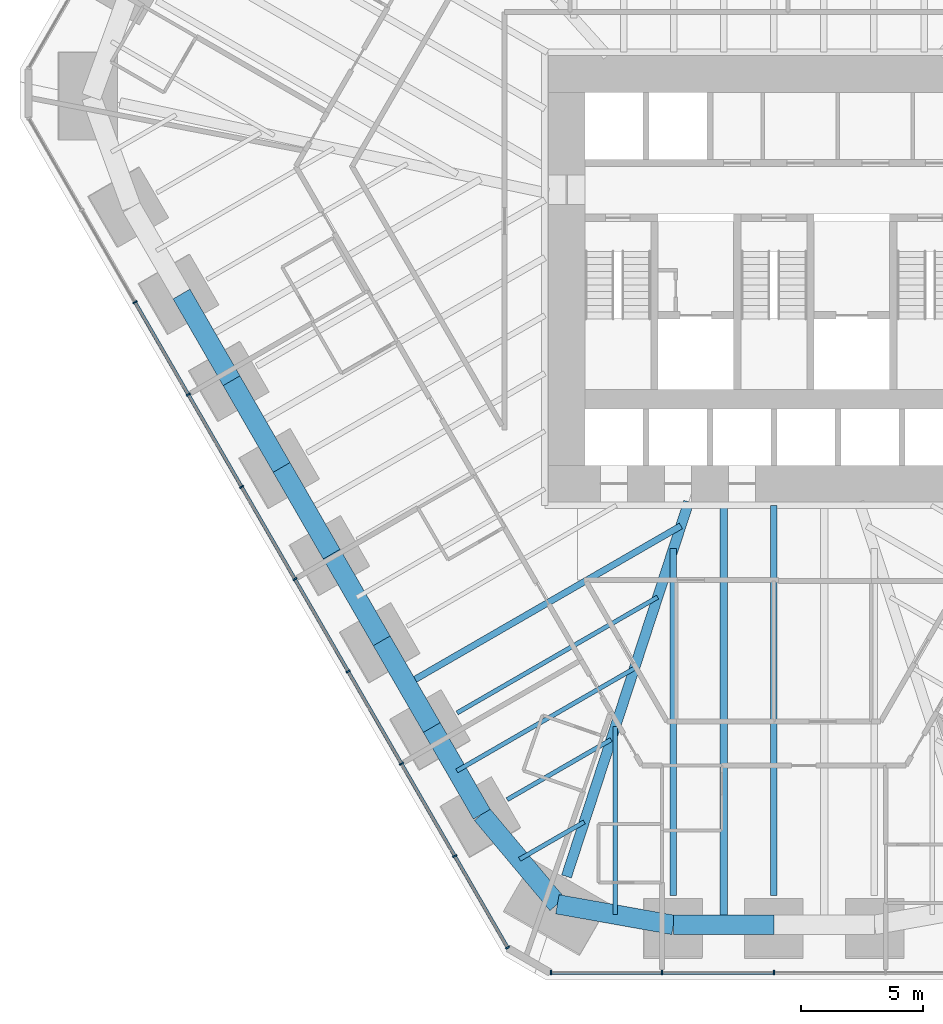
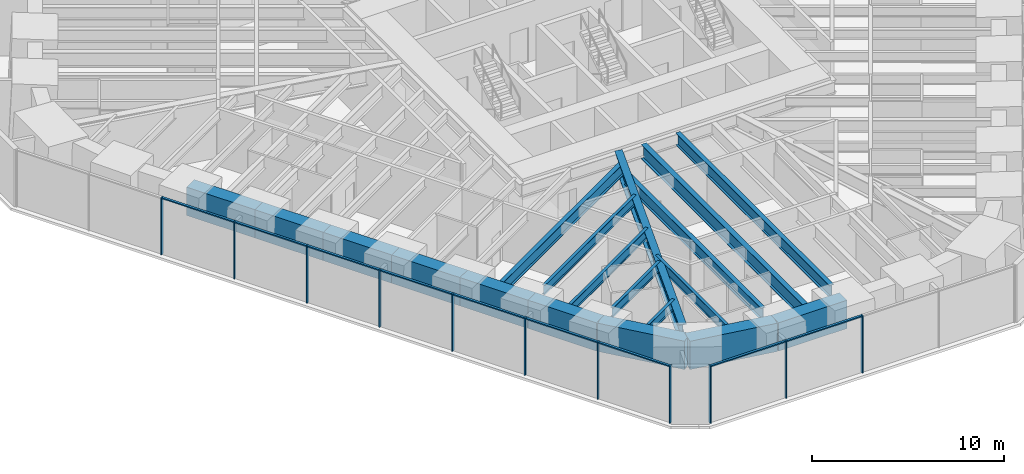
# One storey, part 2 of 17: 20 members, 19 beams, 2 elements without a shape of their own.
"""IFC4 building model written with IfcOpenShell, lengths in metres."""

from ifc_helpers import new_model, si_unit, direction, frame, origin, origin_2d, place, context, subcontext, project, spatial, rectangle, i_section, extrude, material, material_profile, profile_set, type_object, element, aggregate, save


model = new_model("IFC4")

# Units and contexts
model_context = context("Model", 3, precision=1e-05, world=origin(), true_north=direction((0.0, 1.0)))
body_context = subcontext(model_context, "Body", "Model", "MODEL_VIEW")
ifc_project = project(units=[si_unit("LENGTHUNIT", "METRE"), si_unit("AREAUNIT", "SQUARE_METRE"), si_unit("VOLUMEUNIT", "CUBIC_METRE"), si_unit("PLANEANGLEUNIT", "RADIAN"), si_unit("MASSUNIT", "GRAM", prefix="KILO")], contexts=[model_context])

# Site, building, storey
site_placement = place(None, origin())
site = spatial("IfcSite", under=ifc_project, at=site_placement, CompositionType="ELEMENT")
building_placement = place(site_placement, origin())
building = spatial("IfcBuilding", under=site, at=building_placement, Name="Sandreach Pilgrim Tower", CompositionType="ELEMENT")
storey_placement = place(building_placement, frame((0.0, 0.0, 68.60009765625)))
storey = spatial("IfcBuildingStorey", under=building, at=storey_placement, Name="L16", CompositionType="ELEMENT", Elevation=68.60009765625)

# Curtain wall, members
ifc_material_1 = material(Name="Aluminium framed curtain wall", Category="aluminium")
curtain_wall_type = type_object("IfcCurtainWallType", Name="Hostel tower curtain wall", PredefinedType="NOTDEFINED", material=ifc_material_1)
curtain_wall_1_placement = place(storey_placement, origin())
curtain_wall_1 = element("IfcCurtainWall", 1, at=curtain_wall_1_placement, inside=storey, type_object=curtain_wall_type, Name="CW-1 L16 S", PredefinedType="NOTDEFINED")
ifc_material_2 = material(Name="Aluminium extrusion", Category="aluminium")
ifc_material_profile_1 = material_profile(ifc_material_2, rectangle(XDim=0.06494140625, YDim=0.179931640625, at=origin_2d()), Name="CW-1M 65X180")
ifc_profile_set_1 = profile_set([ifc_material_profile_1], Name="Aluminium extrusion")
member_type_1 = type_object("IfcMemberType", Name="CW-1 mullion", PredefinedType="MULLION", material=ifc_profile_set_1)
member_1_placement = place(storey_placement, frame((0.0, -30.010986328125, 0.0), z_axis=(0.0, 0.0, 1.0), x_axis=(-1.0, 0.0, 0.0)))
member_1 = element("IfcMember", 2, at=member_1_placement, type_object=member_type_1, Name="CW-1 mullion 3", PredefinedType="MULLION", context=body_context, shape_type="SweptSolid", body=[
    extrude(rectangle(XDim=0.06494140625, YDim=0.179931640625, at=origin_2d()), origin(), (0.0, 0.0, 1.0), 3.639892578125),
])
member_2_placement = place(storey_placement, frame((-4.5859375, -30.010986328125, 0.0), z_axis=(0.0, 0.0, 1.0), x_axis=(-1.0, 0.0, 0.0)))
member_2 = element("IfcMember", 3, at=member_2_placement, type_object=member_type_1, Name="CW-1 mullion 4", PredefinedType="MULLION", context=body_context, shape_type="SweptSolid", body=[
    extrude(rectangle(XDim=0.06494140625, YDim=0.179931640625, at=origin_2d()), origin(), (0.0, 0.0, 1.0), 3.639892578125),
])
member_3_placement = place(storey_placement, frame((-9.1396484375, -30.010986328125, 0.0), z_axis=(0.0, 0.0, 1.0), x_axis=(-1.0, 0.0, 0.0)))
member_3 = element("IfcMember", 4, at=member_3_placement, type_object=member_type_1, Name="CW-1 mullion 5", PredefinedType="MULLION", context=body_context, shape_type="SweptSolid", body=[
    extrude(rectangle(XDim=0.06494140625, YDim=0.179931640625, at=origin_2d()), origin(), (0.0, 0.0, 1.0), 3.639892578125),
])

curtain_wall_2_placement = place(storey_placement, origin())
curtain_wall_2 = element("IfcCurtainWall", 5, at=curtain_wall_2_placement, inside=storey, type_object=curtain_wall_type, Name="CW-1 L16 SW", PredefinedType="NOTDEFINED")
member_4_placement = place(storey_placement, frame((-10.92041015625, -28.982666015625, 0.0), z_axis=(0.0, 0.0, 1.0), x_axis=(-0.5, 0.866025403784, 0.0)))
member_4 = element("IfcMember", 6, at=member_4_placement, type_object=member_type_1, Name="CW-1 mullion 1", PredefinedType="MULLION", context=body_context, shape_type="SweptSolid", body=[
    extrude(rectangle(XDim=0.06494140625, YDim=0.179931640625, at=origin_2d()), origin(), (0.0, 0.0, 1.0), 3.639892578125),
])
member_5_placement = place(storey_placement, frame((-13.08984375, -25.22509765625, 0.0), z_axis=(0.0, 0.0, 1.0), x_axis=(-0.5, 0.866025403784, 0.0)))
member_5 = element("IfcMember", 7, at=member_5_placement, type_object=member_type_1, Name="CW-1 mullion 2", PredefinedType="MULLION", context=body_context, shape_type="SweptSolid", body=[
    extrude(rectangle(XDim=0.06494140625, YDim=0.179931640625, at=origin_2d()), origin(), (0.0, 0.0, 1.0), 3.639892578125),
])
member_6_placement = place(storey_placement, frame((-15.275634765625, -21.439208984375, 0.0), z_axis=(0.0, 0.0, 1.0), x_axis=(-0.5, 0.866025403784, 0.0)))
member_6 = element("IfcMember", 8, at=member_6_placement, type_object=member_type_1, Name="CW-1 mullion 3", PredefinedType="MULLION", context=body_context, shape_type="SweptSolid", body=[
    extrude(rectangle(XDim=0.06494140625, YDim=0.179931640625, at=origin_2d()), origin(), (0.0, 0.0, 1.0), 3.639892578125),
])
member_7_placement = place(storey_placement, frame((-17.46142578125, -17.6533203125, 0.0), z_axis=(0.0, 0.0, 1.0), x_axis=(-0.5, 0.866025403784, 0.0)))
member_7 = element("IfcMember", 9, at=member_7_placement, type_object=member_type_1, Name="CW-1 mullion 4", PredefinedType="MULLION", context=body_context, shape_type="SweptSolid", body=[
    extrude(rectangle(XDim=0.06494140625, YDim=0.179931640625, at=origin_2d()), origin(), (0.0, 0.0, 1.0), 3.639892578125),
])
member_8_placement = place(storey_placement, frame((-19.647216796875, -13.8671875, 0.0), z_axis=(0.0, 0.0, 1.0), x_axis=(-0.5, 0.866025403784, 0.0)))
member_8 = element("IfcMember", 10, at=member_8_placement, type_object=member_type_1, Name="CW-1 mullion 5", PredefinedType="MULLION", context=body_context, shape_type="SweptSolid", body=[
    extrude(rectangle(XDim=0.06494140625, YDim=0.179931640625, at=origin_2d()), origin(), (0.0, 0.0, 1.0), 3.639892578125),
])
member_9_placement = place(storey_placement, frame((-21.8330078125, -10.081298828125, 0.0), z_axis=(0.0, 0.0, 1.0), x_axis=(-0.5, 0.866025403784, 0.0)))
member_9 = element("IfcMember", 11, at=member_9_placement, type_object=member_type_1, Name="CW-1 mullion 6", PredefinedType="MULLION", context=body_context, shape_type="SweptSolid", body=[
    extrude(rectangle(XDim=0.06494140625, YDim=0.179931640625, at=origin_2d()), origin(), (0.0, 0.0, 1.0), 3.639892578125),
])
member_10_placement = place(storey_placement, frame((-24.018798828125, -6.29541015625, 0.0), z_axis=(0.0, 0.0, 1.0), x_axis=(-0.5, 0.866025403784, 0.0)))
member_10 = element("IfcMember", 12, at=member_10_placement, type_object=member_type_1, Name="CW-1 mullion 7", PredefinedType="MULLION", context=body_context, shape_type="SweptSolid", body=[
    extrude(rectangle(XDim=0.06494140625, YDim=0.179931640625, at=origin_2d()), origin(), (0.0, 0.0, 1.0), 3.639892578125),
])
member_11_placement = place(storey_placement, frame((-26.20458984375, -2.509521484375, 0.0), z_axis=(0.0, 0.0, 1.0), x_axis=(-0.5, 0.866025403784, 0.0)))
member_11 = element("IfcMember", 13, at=member_11_placement, type_object=member_type_1, Name="CW-1 mullion 8", PredefinedType="MULLION", context=body_context, shape_type="SweptSolid", body=[
    extrude(rectangle(XDim=0.06494140625, YDim=0.179931640625, at=origin_2d()), origin(), (0.0, 0.0, 1.0), 3.639892578125),
])

# Member
ifc_material_3 = material(Name="Aluminium extrusion", Category="aluminium")
ifc_material_profile_2 = material_profile(ifc_material_3, rectangle(XDim=0.139892578125, YDim=0.070068359375, at=origin_2d()), Name="CW-1T 140X70")
ifc_profile_set_2 = profile_set([ifc_material_profile_2], Name="Aluminium extrusion")
member_type_2 = type_object("IfcMemberType", Name="CW-1 transom", PredefinedType="USERDEFINED", material=ifc_profile_set_2)
member_12_placement = place(storey_placement, frame((-0.032470703125, -30.010986328125, 3.60498046875), z_axis=(-1.0, 0.0, 0.0), x_axis=(0.0, -1.0, 0.0)))
member_12 = element("IfcMember", 14, at=member_12_placement, type_object=member_type_2, Name="CW-1 head transom 3", ObjectType="TRANSOM", PredefinedType="USERDEFINED", context=body_context, shape_type="SweptSolid", body=[
    extrude(rectangle(XDim=0.139892578125, YDim=0.070068359375, at=origin_2d()), origin(), (0.0, 0.0, 1.0), 4.52099609375),
])

member_13_placement = place(storey_placement, frame((-4.61865234375, -30.010986328125, 3.60498046875), z_axis=(-1.0, 0.0, 0.0), x_axis=(0.0, -1.0, 0.0)))
member_13 = element("IfcMember", 15, at=member_13_placement, type_object=member_type_2, Name="CW-1 head transom 4", ObjectType="TRANSOM", PredefinedType="USERDEFINED", context=body_context, shape_type="SweptSolid", body=[
    extrude(rectangle(XDim=0.139892578125, YDim=0.070068359375, at=origin_2d()), origin(), (0.0, 0.0, 1.0), 4.488525390625),
])

aggregate(curtain_wall_1, [member_1, member_2, member_3, member_12, member_13])

member_14_placement = place(storey_placement, frame((-10.9365234375, -28.95458984375, 3.60498046875), z_axis=(-0.500033953635, 0.866005799756, 0.0), x_axis=(-0.866005799756, -0.500033953635, 0.0)))
member_14 = element("IfcMember", 16, at=member_14_placement, type_object=member_type_2, Name="CW-1 head transom 1", ObjectType="TRANSOM", PredefinedType="USERDEFINED", context=body_context, shape_type="SweptSolid", body=[
    extrude(rectangle(XDim=0.139892578125, YDim=0.070068359375, at=origin_2d()), origin(), (0.0, 0.0, 1.0), 4.274169921875),
])

member_15_placement = place(storey_placement, frame((-13.106201171875, -25.19677734375, 3.60498046875), z_axis=(-0.500016891966, 0.866015650984, 0.0), x_axis=(-0.866015650984, -0.500016891966, 0.0)))
member_15 = element("IfcMember", 17, at=member_15_placement, type_object=member_type_2, Name="CW-1 head transom 2", ObjectType="TRANSOM", PredefinedType="USERDEFINED", context=body_context, shape_type="SweptSolid", body=[
    extrude(rectangle(XDim=0.139892578125, YDim=0.070068359375, at=origin_2d()), origin(), (0.0, 0.0, 1.0), 4.306396484375),
])

member_16_placement = place(storey_placement, frame((-15.2919921875, -21.410888671875, 3.60498046875), z_axis=(-0.500016891966, 0.866015650984, 0.0), x_axis=(-0.866015650984, -0.500016891966, 0.0)))
member_16 = element("IfcMember", 18, at=member_16_placement, type_object=member_type_2, Name="CW-1 head transom 3", ObjectType="TRANSOM", PredefinedType="USERDEFINED", context=body_context, shape_type="SweptSolid", body=[
    extrude(rectangle(XDim=0.139892578125, YDim=0.070068359375, at=origin_2d()), origin(), (0.0, 0.0, 1.0), 4.306396484375),
])

member_17_placement = place(storey_placement, frame((-17.477783203125, -17.625, 3.60498046875), z_axis=(-0.500016891966, 0.866015650984, 0.0), x_axis=(-0.866015650984, -0.500016891966, 0.0)))
member_17 = element("IfcMember", 19, at=member_17_placement, type_object=member_type_2, Name="CW-1 head transom 4", ObjectType="TRANSOM", PredefinedType="USERDEFINED", context=body_context, shape_type="SweptSolid", body=[
    extrude(rectangle(XDim=0.139892578125, YDim=0.070068359375, at=origin_2d()), origin(), (0.0, 0.0, 1.0), 4.306396484375),
])

member_18_placement = place(storey_placement, frame((-19.66357421875, -13.839111328125, 3.60498046875), z_axis=(-0.500016891966, 0.866015650984, 0.0), x_axis=(-0.866015650984, -0.500016891966, 0.0)))
member_18 = element("IfcMember", 20, at=member_18_placement, type_object=member_type_2, Name="CW-1 head transom 5", ObjectType="TRANSOM", PredefinedType="USERDEFINED", context=body_context, shape_type="SweptSolid", body=[
    extrude(rectangle(XDim=0.139892578125, YDim=0.070068359375, at=origin_2d()), origin(), (0.0, 0.0, 1.0), 4.306396484375),
])

member_19_placement = place(storey_placement, frame((-21.849365234375, -10.05322265625, 3.60498046875), z_axis=(-0.500016891966, 0.866015650984, 0.0), x_axis=(-0.866015650984, -0.500016891966, 0.0)))
member_19 = element("IfcMember", 21, at=member_19_placement, type_object=member_type_2, Name="CW-1 head transom 6", ObjectType="TRANSOM", PredefinedType="USERDEFINED", context=body_context, shape_type="SweptSolid", body=[
    extrude(rectangle(XDim=0.139892578125, YDim=0.070068359375, at=origin_2d()), origin(), (0.0, 0.0, 1.0), 4.306396484375),
])

member_20_placement = place(storey_placement, frame((-24.03515625, -6.267333984375, 3.60498046875), z_axis=(-0.500016891966, 0.866015650984, 0.0), x_axis=(-0.866015650984, -0.500016891966, 0.0)))
member_20 = element("IfcMember", 22, at=member_20_placement, type_object=member_type_2, Name="CW-1 head transom 7", ObjectType="TRANSOM", PredefinedType="USERDEFINED", context=body_context, shape_type="SweptSolid", body=[
    extrude(rectangle(XDim=0.139892578125, YDim=0.070068359375, at=origin_2d()), origin(), (0.0, 0.0, 1.0), 4.306396484375),
])

aggregate(curtain_wall_2, [member_4, member_5, member_6, member_7, member_8, member_9, member_10, member_11, member_14, member_15, member_16, member_17, member_18, member_19, member_20])

# Beams
ifc_material_4 = material(Name="Steel ASTM A992 Grade 50", Category="steel")
ifc_material_profile_3 = material_profile(ifc_material_4, i_section(OverallWidth=0.421630859375, OverallDepth=0.95751953125, WebThickness=0.02587890625, FlangeThickness=0.046875, at=origin_2d()), Name="W36X330")
ifc_profile_set_3 = profile_set([ifc_material_profile_3], Name="Steel ASTM A992 Grade 50")
beam_type_1 = type_object("IfcBeamType", Name="Corner girder W36X330", PredefinedType="BEAM", material=ifc_profile_set_3)
beam_1_placement = place(storey_placement, frame((-8.508056640625, -26.064208984375, 3.1611328125), z_axis=(0.310316814347, 0.950633196734, 0.0), x_axis=(-0.950633196734, 0.310316814347, 0.0)))
element("IfcBeam", 23, at=beam_1_placement, inside=storey, type_object=beam_type_1, Name="BM L16 CG26", PredefinedType="BEAM", context=body_context, shape_type="SweptSolid", body=[
    extrude(i_section(OverallWidth=0.421630859375, OverallDepth=0.95751953125, WebThickness=0.02587890625, FlangeThickness=0.046875, at=origin_2d()), origin(), (0.0, 0.0, 1.0), 16.162109375),
])
ifc_material_5 = material(Name="Steel ASTM A992 Grade 50", Category="steel")
ifc_material_profile_4 = material_profile(ifc_material_5, i_section(OverallWidth=0.1787109375, OverallDepth=0.60205078125, WebThickness=0.010986328125, FlangeThickness=0.014892578125, at=origin_2d()), Name="W24X62")
ifc_profile_set_4 = profile_set([ifc_material_profile_4], Name="Steel ASTM A992 Grade 50")
beam_type_2 = type_object("IfcBeamType", Name="Floor beam W24X62", PredefinedType="BEAM", material=ifc_profile_set_4)
beam_2_placement = place(storey_placement, frame((-10.940185546875, -22.91162109375, 3.3388671875), z_axis=(0.86601964755, 0.500009969958, 0.0), x_axis=(-0.500009969958, 0.86601964755, 0.0)))
element("IfcBeam", 24, at=beam_2_placement, inside=storey, type_object=beam_type_2, Name="BM L16 F27", PredefinedType="BEAM", context=body_context, shape_type="SweptSolid", body=[
    extrude(i_section(OverallWidth=0.1787109375, OverallDepth=0.60205078125, WebThickness=0.010986328125, FlangeThickness=0.014892578125, at=origin_2d()), origin(), (0.0, 0.0, 1.0), 4.9248046875),
])
beam_3_placement = place(storey_placement, frame((-12.9931640625, -19.35546875, 3.3388671875), z_axis=(0.866024630955, 0.500001338578, 0.0), x_axis=(-0.500001338578, 0.866024630955, 0.0)))
element("IfcBeam", 25, at=beam_3_placement, inside=storey, type_object=beam_type_2, Name="BM L16 F28", PredefinedType="BEAM", context=body_context, shape_type="SweptSolid", body=[
    extrude(i_section(OverallWidth=0.1787109375, OverallDepth=0.60205078125, WebThickness=0.010986328125, FlangeThickness=0.014892578125, at=origin_2d()), origin(), (0.0, 0.0, 1.0), 9.49755859375),
])
beam_4_placement = place(storey_placement, frame((-6.500244140625, -27.62890625, 3.3388671875), z_axis=(0.0, 1.0, 0.0), x_axis=(-1.0, 0.0, 0.0)))
element("IfcBeam", 26, at=beam_4_placement, inside=storey, type_object=beam_type_2, Name="BM L16 FM25", PredefinedType="BEAM", context=body_context, shape_type="SweptSolid", body=[
    extrude(i_section(OverallWidth=0.1787109375, OverallDepth=0.60205078125, WebThickness=0.010986328125, FlangeThickness=0.014892578125, at=origin_2d()), origin(), (0.0, 0.0, 1.0), 7.7158203125),
])
beam_5_placement = place(storey_placement, frame((-10.429931640625, -25.3583984375, 3.3388671875), z_axis=(0.866016979766, 0.500014590545, 0.0), x_axis=(-0.500014590545, 0.866016979766, 0.0)))
element("IfcBeam", 27, at=beam_5_placement, inside=storey, type_object=beam_type_2, Name="BM L16 FM26", PredefinedType="BEAM", context=body_context, shape_type="SweptSolid", body=[
    extrude(i_section(OverallWidth=0.1787109375, OverallDepth=0.60205078125, WebThickness=0.010986328125, FlangeThickness=0.014892578125, at=origin_2d()), origin(), (0.0, 0.0, 1.0), 3.0625),
])
beam_6_placement = place(storey_placement, frame((-13.005859375, -21.733642578125, 3.3388671875), z_axis=(0.866023174489, 0.500003861233, 0.0), x_axis=(-0.500003861233, 0.866023174489, 0.0)))
element("IfcBeam", 28, at=beam_6_placement, inside=storey, type_object=beam_type_2, Name="BM L16 FM27", PredefinedType="BEAM", context=body_context, shape_type="SweptSolid", body=[
    extrude(i_section(OverallWidth=0.1787109375, OverallDepth=0.60205078125, WebThickness=0.010986328125, FlangeThickness=0.014892578125, at=origin_2d()), origin(), (0.0, 0.0, 1.0), 8.4111328125),
])
ifc_material_6 = material(Name="Steel ASTM A992 Grade 50", Category="steel")
ifc_material_profile_5 = material_profile(ifc_material_6, i_section(OverallWidth=0.2666015625, OverallDepth=0.761962890625, WebThickness=0.014404296875, FlangeThickness=0.021484375, at=origin_2d()), Name="W30X116")
ifc_profile_set_5 = profile_set([ifc_material_profile_5], Name="Steel ASTM A992 Grade 50")
beam_type_3 = type_object("IfcBeamType", Name="Floor beam W30X116", PredefinedType="BEAM", material=ifc_profile_set_5)
beam_7_placement = place(storey_placement, frame((-4.119873046875, -26.852783203125, 3.2587890625), z_axis=(0.0, 1.0, 0.0), x_axis=(-1.0, 0.0, 0.0)))
element("IfcBeam", 29, at=beam_7_placement, inside=storey, type_object=beam_type_3, Name="BM L16 F25", PredefinedType="BEAM", context=body_context, shape_type="SweptSolid", body=[
    extrude(i_section(OverallWidth=0.2666015625, OverallDepth=0.761962890625, WebThickness=0.014404296875, FlangeThickness=0.021484375, at=origin_2d()), origin(), (0.0, 0.0, 1.0), 14.23193359375),
])
beam_8_placement = place(storey_placement, frame((-15.05908203125, -18.177490234375, 3.2587890625), z_axis=(0.866022136417, 0.500005659204, 0.0), x_axis=(-0.500005659204, 0.866022136417, 0.0)))
element("IfcBeam", 30, at=beam_8_placement, inside=storey, type_object=beam_type_3, Name="BM L16 FM28", PredefinedType="BEAM", context=body_context, shape_type="SweptSolid", body=[
    extrude(i_section(OverallWidth=0.2666015625, OverallDepth=0.761962890625, WebThickness=0.014404296875, FlangeThickness=0.021484375, at=origin_2d()), origin(), (0.0, 0.0, 1.0), 12.984130859375),
])
ifc_material_7 = material(Name="Steel ASTM A992 Grade 50", Category="steel")
ifc_material_profile_6 = material_profile(ifc_material_7, i_section(OverallWidth=0.2666015625, OverallDepth=0.77978515625, WebThickness=0.0166015625, FlangeThickness=0.030029296875, at=origin_2d()), Name="W30X148")
ifc_profile_set_6 = profile_set([ifc_material_profile_6], Name="Steel ASTM A992 Grade 50")
beam_type_4 = type_object("IfcBeamType", Name="Floor beam W30X148", PredefinedType="BEAM", material=ifc_profile_set_6)
beam_9_placement = place(storey_placement, frame((0.0, -26.852783203125, 3.25), z_axis=(0.0, 1.0, 0.0), x_axis=(-1.0, 0.0, 0.0)))
element("IfcBeam", 31, at=beam_9_placement, inside=storey, type_object=beam_type_4, Name="BM L16 F24", PredefinedType="BEAM", context=body_context, shape_type="SweptSolid", body=[
    extrude(i_section(OverallWidth=0.2666015625, OverallDepth=0.77978515625, WebThickness=0.0166015625, FlangeThickness=0.030029296875, at=origin_2d()), origin(), (0.0, 0.0, 1.0), 16.009521484375),
])
ifc_material_8 = material(Name="Steel ASTM A992 Grade 50", Category="steel")
ifc_material_profile_7 = material_profile(ifc_material_8, i_section(OverallWidth=0.3046875, OverallDepth=0.914306640625, WebThickness=0.0166015625, FlangeThickness=0.02587890625, at=origin_2d()), Name="W36X160")
ifc_profile_set_7 = profile_set([ifc_material_profile_7], Name="Steel ASTM A992 Grade 50")
beam_type_5 = type_object("IfcBeamType", Name="Floor beam W36X160", PredefinedType="BEAM", material=ifc_profile_set_7)
beam_10_placement = place(storey_placement, frame((-2.059814453125, -28.052734375, 3.1826171875), z_axis=(0.0, 1.0, 0.0), x_axis=(-1.0, 0.0, 0.0)))
element("IfcBeam", 32, at=beam_10_placement, inside=storey, type_object=beam_type_5, Name="BM L16 FM24", PredefinedType="BEAM", context=body_context, shape_type="SweptSolid", body=[
    extrude(i_section(OverallWidth=0.3046875, OverallDepth=0.914306640625, WebThickness=0.0166015625, FlangeThickness=0.02587890625, at=origin_2d()), origin(), (0.0, 0.0, 1.0), 17.20947265625),
])
ifc_material_9 = material(Name="Concrete 10000 psi", Category="concrete")
ifc_material_profile_8 = material_profile(ifc_material_9, rectangle(XDim=0.800048828125, YDim=1.800048828125, at=origin_2d()), Name="RC800X1800")
ifc_profile_set_8 = profile_set([ifc_material_profile_8], Name="Concrete 10000 psi")
beam_type_6 = type_object("IfcBeamType", Name="Spandrel beam RC800X1800", PredefinedType="SPANDREL", material=ifc_profile_set_8)
beam_11_placement = place(storey_placement, frame((0.0, -28.052734375, 2.739990234375), z_axis=(-1.0, 0.0, 0.0), x_axis=(0.0, -1.0, 0.0)))
element("IfcBeam", 33, at=beam_11_placement, inside=storey, type_object=beam_type_6, Name="BM L16 SP24", PredefinedType="SPANDREL", context=body_context, shape_type="SweptSolid", body=[
    extrude(rectangle(XDim=0.800048828125, YDim=1.800048828125, at=origin_2d()), origin(), (0.0, 0.0, 1.0), 4.119873046875),
])
beam_12_placement = place(storey_placement, frame((-4.119873046875, -28.052734375, 2.739990234375), z_axis=(-0.984514518143, 0.175303062054, 0.0), x_axis=(-0.175303062054, -0.984514518143, 0.0)))
element("IfcBeam", 34, at=beam_12_placement, inside=storey, type_object=beam_type_6, Name="BM L16 SP25", PredefinedType="SPANDREL", context=body_context, shape_type="SweptSolid", body=[
    extrude(rectangle(XDim=0.800048828125, YDim=1.800048828125, at=origin_2d()), origin(), (0.0, 0.0, 1.0), 4.83544921875),
])
beam_13_placement = place(storey_placement, frame((-8.88037109375, -27.205078125, 2.739990234375), z_axis=(-0.642760887892, 0.766066864573, 0.0), x_axis=(-0.766066864573, -0.642760887892, 0.0)))
element("IfcBeam", 35, at=beam_13_placement, inside=storey, type_object=beam_type_6, Name="BM L16 SP26", PredefinedType="SPANDREL", context=body_context, shape_type="SweptSolid", body=[
    extrude(rectangle(XDim=0.800048828125, YDim=1.800048828125, at=origin_2d()), origin(), (0.0, 0.0, 1.0), 4.8212890625),
])
for number, where, z_axis, x_axis, name in (
    (36, (-11.979248046875, -23.51171875, 2.739990234375), (-0.500014089762, 0.866017268904, 0.0), (-0.866017268904, -0.500014089762, 0.0), "BM L16 SP27"),
    (37, (-14.032470703125, -19.95556640625, 2.739990234375), (-0.500014089762, 0.866017268904, 0.0), (-0.866017268904, -0.500014089762, 0.0), "BM L16 SP28"),
):
    element("IfcBeam", number, at=place(storey_placement, frame(where, z_axis=z_axis, x_axis=x_axis)), inside=storey, type_object=beam_type_6, Name=name, PredefinedType="SPANDREL", context=body_context, shape_type="SweptSolid", body=[
        extrude(rectangle(XDim=0.800048828125, YDim=1.800048828125, at=origin_2d()), origin(), (0.0, 0.0, 1.0), 4.1064453125),
    ])
beam_14_placement = place(storey_placement, frame((-16.085693359375, -16.3994140625, 2.739990234375), z_axis=(-0.499969497581, 0.866043013648, 0.0), x_axis=(-0.866043013648, -0.499969497581, 0.0)))
element("IfcBeam", 38, at=beam_14_placement, inside=storey, type_object=beam_type_6, Name="BM L16 SP29", PredefinedType="SPANDREL", context=body_context, shape_type="SweptSolid", body=[
    extrude(rectangle(XDim=0.800048828125, YDim=1.800048828125, at=origin_2d()), origin(), (0.0, 0.0, 1.0), 4.106201171875),
])
for number, where, z_axis, x_axis, name in (
    (39, (-18.138671875, -12.84326171875, 2.739990234375), (-0.500014089762, 0.866017268904, 0.0), (-0.866017268904, -0.500014089762, 0.0), "BM L16 SP30"),
    (40, (-20.19189453125, -9.287109375, 2.739990234375), (-0.500014089762, 0.866017268904, 0.0), (-0.866017268904, -0.500014089762, 0.0), "BM L16 SP31"),
    (41, (-22.2451171875, -5.73095703125, 2.739990234375), (-0.500014089762, 0.866017268904, 0.0), (-0.866017268904, -0.500014089762, 0.0), "BM L16 SP32"),
):
    element("IfcBeam", number, at=place(storey_placement, frame(where, z_axis=z_axis, x_axis=x_axis)), inside=storey, type_object=beam_type_6, Name=name, PredefinedType="SPANDREL", context=body_context, shape_type="SweptSolid", body=[
        extrude(rectangle(XDim=0.800048828125, YDim=1.800048828125, at=origin_2d()), origin(), (0.0, 0.0, 1.0), 4.1064453125),
    ])

save(model, "model.ifc")
